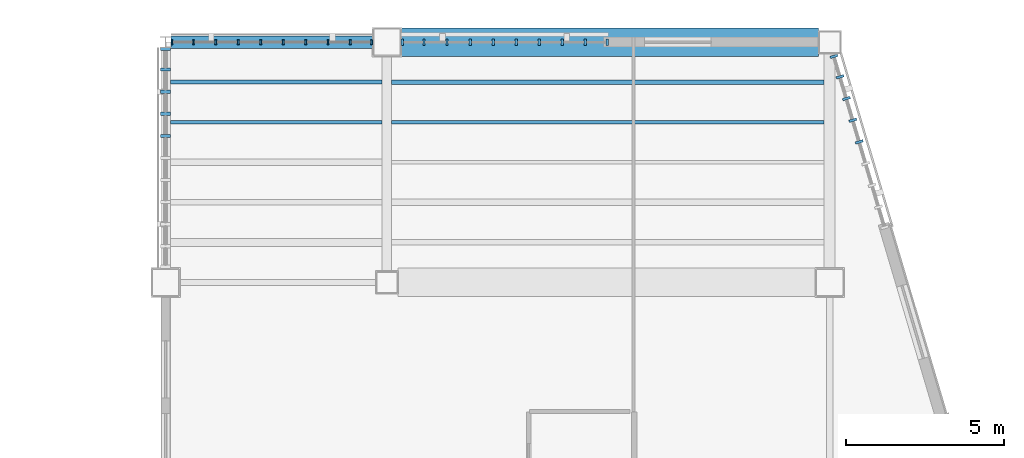
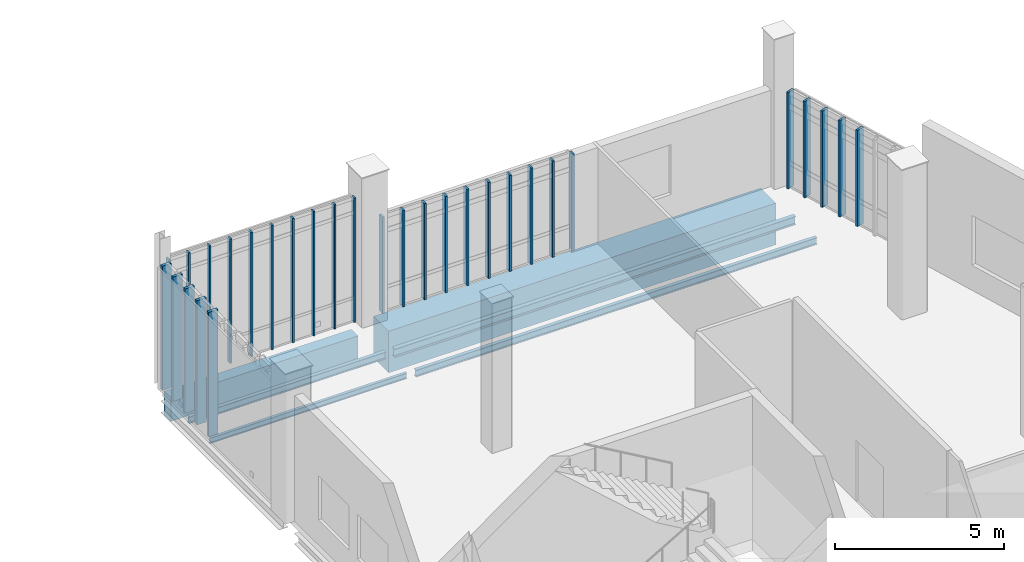
# One storey, part 44 of 127: 30 members, 6 beams, 4 elements without a shape of their own.
"""IFC4 building model written with IfcOpenShell, lengths in metres."""

from ifc_helpers import new_model, si_unit, direction, frame, origin, origin_2d, place, context, subcontext, project, spatial, rectangle, i_section, extrude, material, material_profile, profile_set, type_object, element, aggregate, save


model = new_model("IFC4")

# Units and contexts
model_context = context("Model", 3, precision=1e-05, world=origin(), true_north=direction((0.0, 1.0)))
body_context = subcontext(model_context, "Body", "Model", "MODEL_VIEW")
ifc_project = project(units=[si_unit("LENGTHUNIT", "METRE"), si_unit("AREAUNIT", "SQUARE_METRE"), si_unit("VOLUMEUNIT", "CUBIC_METRE"), si_unit("PLANEANGLEUNIT", "RADIAN"), si_unit("MASSUNIT", "GRAM", prefix="KILO")], contexts=[model_context])

# Site, building, storey
site_placement = place(None, origin())
site = spatial("IfcSite", under=ifc_project, at=site_placement, CompositionType="ELEMENT")
building_placement = place(site_placement, origin())
building = spatial("IfcBuilding", under=site, at=building_placement, Name="Larkvane Passage Sports Hall", CompositionType="ELEMENT")
storey_placement = place(building_placement, frame((0.0, 0.0, 5.39990234375)))
storey = spatial("IfcBuildingStorey", under=building, at=storey_placement, Name="L01", CompositionType="ELEMENT", Elevation=5.39990234375)

# Curtain wall, members
ifc_material_1 = material(Name="Thermally broken aluminium and low-E glazing", Category="aluminium")
curtain_wall_type_1 = type_object("IfcCurtainWallType", Name="CW-CLINIC", PredefinedType="USERDEFINED", material=ifc_material_1)
curtain_wall_1_placement = place(storey_placement, origin())
curtain_wall_1 = element("IfcCurtainWall", 1, at=curtain_wall_1_placement, inside=storey, type_object=curtain_wall_type_1, Name="Curtain wall CW5-L01-051", ObjectType="UNITISED CURTAIN WALL", PredefinedType="USERDEFINED")
ifc_material_2 = material(Name="Anodised aluminium 6063-T6", Category="aluminium")
ifc_material_profile_1 = material_profile(ifc_material_2, rectangle(XDim=0.10009765625, YDim=0.320068359375, at=origin_2d()), Name="ALU-MUL-100x320")
ifc_profile_set_1 = profile_set([ifc_material_profile_1], Name="Anodised aluminium 6063-T6")
member_type_1 = type_object("IfcMemberType", Name="CW-MUL-100x320", PredefinedType="MULLION", material=ifc_profile_set_1)
member_1_placement = place(storey_placement, frame((124.60009765625, 96.23583984375, 0.0), z_axis=(0.0, 0.0, 1.0), x_axis=(0.0, 1.0, 0.0)))
member_1 = element("IfcMember", 2, at=member_1_placement, type_object=member_type_1, Name="CW-05 mullion 7", PredefinedType="MULLION", context=body_context, shape_type="SweptSolid", body=[
    extrude(rectangle(XDim=0.10009765625, YDim=0.320068359375, at=origin_2d()), origin(), (0.0, 0.0, 1.0), 4.47998046875),
])
member_2_placement = place(storey_placement, frame((124.60009765625, 96.93408203125, 0.0), z_axis=(0.0, 0.0, 1.0), x_axis=(0.0, 1.0, 0.0)))
member_2 = element("IfcMember", 3, at=member_2_placement, type_object=member_type_1, Name="CW-05 mullion 8", PredefinedType="MULLION", context=body_context, shape_type="SweptSolid", body=[
    extrude(rectangle(XDim=0.10009765625, YDim=0.320068359375, at=origin_2d()), origin(), (0.0, 0.0, 1.0), 4.47998046875),
])
member_3_placement = place(storey_placement, frame((124.60009765625, 97.63232421875, 0.0), z_axis=(0.0, 0.0, 1.0), x_axis=(0.0, 1.0, 0.0)))
member_3 = element("IfcMember", 4, at=member_3_placement, type_object=member_type_1, Name="CW-05 mullion 9", PredefinedType="MULLION", context=body_context, shape_type="SweptSolid", body=[
    extrude(rectangle(XDim=0.10009765625, YDim=0.320068359375, at=origin_2d()), origin(), (0.0, 0.0, 1.0), 4.47998046875),
])
member_4_placement = place(storey_placement, frame((124.60009765625, 98.330810546875, 0.0), z_axis=(0.0, 0.0, 1.0), x_axis=(0.0, 1.0, 0.0)))
member_4 = element("IfcMember", 5, at=member_4_placement, type_object=member_type_1, Name="CW-05 mullion 10", PredefinedType="MULLION", context=body_context, shape_type="SweptSolid", body=[
    extrude(rectangle(XDim=0.10009765625, YDim=0.320068359375, at=origin_2d()), origin(), (0.0, 0.0, 1.0), 4.47998046875),
])
member_5_placement = place(storey_placement, frame((124.60009765625, 98.97900390625, 0.0), z_axis=(0.0, 0.0, 1.0), x_axis=(0.0, 1.0, 0.0)))
member_5 = element("IfcMember", 6, at=member_5_placement, type_object=member_type_1, Name="CW-05 mullion 11", PredefinedType="MULLION", context=body_context, shape_type="SweptSolid", body=[
    extrude(rectangle(XDim=0.10009765625, YDim=0.320068359375, at=origin_2d()), origin(), (0.0, 0.0, 1.0), 4.47998046875),
])
aggregate(curtain_wall_1, [member_1, member_2, member_3, member_4, member_5])

curtain_wall_type_2 = type_object("IfcCurtainWallType", Name="CW-UNIT-COURT", PredefinedType="USERDEFINED", material=ifc_material_1)
curtain_wall_2_placement = place(storey_placement, origin())
curtain_wall_2 = element("IfcCurtainWall", 7, at=curtain_wall_2_placement, inside=storey, type_object=curtain_wall_type_2, Name="Curtain wall CW5-L01-052", ObjectType="UNITISED CURTAIN WALL", PredefinedType="USERDEFINED")
ifc_material_profile_2 = material_profile(ifc_material_2, rectangle(XDim=0.06005859375, YDim=0.14990234375, at=origin_2d()), Name="ALU-MUL-60x150")
ifc_profile_set_2 = profile_set([ifc_material_profile_2], Name="Anodised aluminium 6063-T6")
member_type_2 = type_object("IfcMemberType", Name="CW-MUL-60x150", PredefinedType="MULLION", material=ifc_profile_set_2)
member_6_placement = place(storey_placement, frame((124.801025390625, 99.199951171875, 0.0), z_axis=(0.0, 0.0, 1.0), x_axis=(1.0, 0.0, 0.0)))
member_6 = element("IfcMember", 8, at=member_6_placement, type_object=member_type_2, Name="CW-01 mullion 1", PredefinedType="MULLION", context=body_context, shape_type="SweptSolid", body=[
    extrude(rectangle(XDim=0.06005859375, YDim=0.14990234375, at=origin_2d()), origin(), (0.0, 0.0, 1.0), 4.47998046875),
])
member_7_placement = place(storey_placement, frame((125.480224609375, 99.199951171875, 0.0), z_axis=(0.0, 0.0, 1.0), x_axis=(1.0, 0.0, 0.0)))
member_7 = element("IfcMember", 9, at=member_7_placement, type_object=member_type_2, Name="CW-01 mullion 2", PredefinedType="MULLION", context=body_context, shape_type="SweptSolid", body=[
    extrude(rectangle(XDim=0.06005859375, YDim=0.14990234375, at=origin_2d()), origin(), (0.0, 0.0, 1.0), 4.47998046875),
])
member_8_placement = place(storey_placement, frame((126.189453125, 99.199951171875, 0.0), z_axis=(0.0, 0.0, 1.0), x_axis=(1.0, 0.0, 0.0)))
member_8 = element("IfcMember", 10, at=member_8_placement, type_object=member_type_2, Name="CW-01 mullion 3", PredefinedType="MULLION", context=body_context, shape_type="SweptSolid", body=[
    extrude(rectangle(XDim=0.06005859375, YDim=0.14990234375, at=origin_2d()), origin(), (0.0, 0.0, 1.0), 4.47998046875),
])
member_9_placement = place(storey_placement, frame((126.898681640625, 99.199951171875, 0.0), z_axis=(0.0, 0.0, 1.0), x_axis=(1.0, 0.0, 0.0)))
member_9 = element("IfcMember", 11, at=member_9_placement, type_object=member_type_2, Name="CW-01 mullion 4", PredefinedType="MULLION", context=body_context, shape_type="SweptSolid", body=[
    extrude(rectangle(XDim=0.06005859375, YDim=0.14990234375, at=origin_2d()), origin(), (0.0, 0.0, 1.0), 4.47998046875),
])
member_10_placement = place(storey_placement, frame((127.60791015625, 99.199951171875, 0.0), z_axis=(0.0, 0.0, 1.0), x_axis=(1.0, 0.0, 0.0)))
member_10 = element("IfcMember", 12, at=member_10_placement, type_object=member_type_2, Name="CW-01 mullion 5", PredefinedType="MULLION", context=body_context, shape_type="SweptSolid", body=[
    extrude(rectangle(XDim=0.06005859375, YDim=0.14990234375, at=origin_2d()), origin(), (0.0, 0.0, 1.0), 4.47998046875),
])
member_11_placement = place(storey_placement, frame((128.317138671875, 99.199951171875, 0.0), z_axis=(0.0, 0.0, 1.0), x_axis=(1.0, 0.0, 0.0)))
member_11 = element("IfcMember", 13, at=member_11_placement, type_object=member_type_2, Name="CW-01 mullion 6", PredefinedType="MULLION", context=body_context, shape_type="SweptSolid", body=[
    extrude(rectangle(XDim=0.06005859375, YDim=0.14990234375, at=origin_2d()), origin(), (0.0, 0.0, 1.0), 4.47998046875),
])
member_12_placement = place(storey_placement, frame((129.0263671875, 99.199951171875, 0.0), z_axis=(0.0, 0.0, 1.0), x_axis=(1.0, 0.0, 0.0)))
member_12 = element("IfcMember", 14, at=member_12_placement, type_object=member_type_2, Name="CW-01 mullion 7", PredefinedType="MULLION", context=body_context, shape_type="SweptSolid", body=[
    extrude(rectangle(XDim=0.06005859375, YDim=0.14990234375, at=origin_2d()), origin(), (0.0, 0.0, 1.0), 4.47998046875),
])
member_13_placement = place(storey_placement, frame((129.735595703125, 99.199951171875, 0.0), z_axis=(0.0, 0.0, 1.0), x_axis=(1.0, 0.0, 0.0)))
member_13 = element("IfcMember", 15, at=member_13_placement, type_object=member_type_2, Name="CW-01 mullion 8", PredefinedType="MULLION", context=body_context, shape_type="SweptSolid", body=[
    extrude(rectangle(XDim=0.06005859375, YDim=0.14990234375, at=origin_2d()), origin(), (0.0, 0.0, 1.0), 4.47998046875),
])
member_14_placement = place(storey_placement, frame((130.44482421875, 99.199951171875, 0.0), z_axis=(0.0, 0.0, 1.0), x_axis=(1.0, 0.0, 0.0)))
member_14 = element("IfcMember", 16, at=member_14_placement, type_object=member_type_2, Name="CW-01 mullion 9", PredefinedType="MULLION", context=body_context, shape_type="SweptSolid", body=[
    extrude(rectangle(XDim=0.06005859375, YDim=0.14990234375, at=origin_2d()), origin(), (0.0, 0.0, 1.0), 4.47998046875),
])
member_15_placement = place(storey_placement, frame((131.1240234375, 99.199951171875, 0.0), z_axis=(0.0, 0.0, 1.0), x_axis=(1.0, 0.0, 0.0)))
member_15 = element("IfcMember", 17, at=member_15_placement, type_object=member_type_2, Name="CW-01 mullion 10", PredefinedType="MULLION", context=body_context, shape_type="SweptSolid", body=[
    extrude(rectangle(XDim=0.06005859375, YDim=0.14990234375, at=origin_2d()), origin(), (0.0, 0.0, 1.0), 4.47998046875),
])
aggregate(curtain_wall_2, [member_6, member_7, member_8, member_9, member_10, member_11, member_12, member_13, member_14, member_15])

curtain_wall_type_3 = type_object("IfcCurtainWallType", Name="CW-UNIT-VEIL", PredefinedType="USERDEFINED", material=ifc_material_1)
curtain_wall_3_placement = place(storey_placement, origin())
curtain_wall_3 = element("IfcCurtainWall", 18, at=curtain_wall_3_placement, inside=storey, type_object=curtain_wall_type_3, Name="Curtain wall CW5-L01-053", ObjectType="UNITISED CURTAIN WALL", PredefinedType="USERDEFINED")
ifc_material_profile_3 = material_profile(ifc_material_2, rectangle(XDim=0.070068359375, YDim=0.199951171875, at=origin_2d()), Name="ALU-MUL-70x200")
ifc_profile_set_3 = profile_set([ifc_material_profile_3], Name="Anodised aluminium 6063-T6")
member_type_3 = type_object("IfcMemberType", Name="CW-MUL-70x200", PredefinedType="MULLION", material=ifc_profile_set_3)
member_16_placement = place(storey_placement, frame((132.0810546875, 99.199951171875, 0.0), z_axis=(0.0, 0.0, 1.0), x_axis=(1.0, 0.0, 0.0)))
member_16 = element("IfcMember", 19, at=member_16_placement, type_object=member_type_3, Name="CW-02 mullion 1", PredefinedType="MULLION", context=body_context, shape_type="SweptSolid", body=[
    extrude(rectangle(XDim=0.070068359375, YDim=0.199951171875, at=origin_2d()), origin(), (0.0, 0.0, 1.0), 3.468017578125),
])
member_17_placement = place(storey_placement, frame((132.774169921875, 99.199951171875, 0.0), z_axis=(0.0, 0.0, 1.0), x_axis=(1.0, 0.0, 0.0)))
member_17 = element("IfcMember", 20, at=member_17_placement, type_object=member_type_3, Name="CW-02 mullion 2", PredefinedType="MULLION", context=body_context, shape_type="SweptSolid", body=[
    extrude(rectangle(XDim=0.070068359375, YDim=0.199951171875, at=origin_2d()), origin(), (0.0, 0.0, 1.0), 3.468017578125),
])
member_18_placement = place(storey_placement, frame((133.50244140625, 99.199951171875, 0.0), z_axis=(0.0, 0.0, 1.0), x_axis=(1.0, 0.0, 0.0)))
member_18 = element("IfcMember", 21, at=member_18_placement, type_object=member_type_3, Name="CW-02 mullion 3", PredefinedType="MULLION", context=body_context, shape_type="SweptSolid", body=[
    extrude(rectangle(XDim=0.070068359375, YDim=0.199951171875, at=origin_2d()), origin(), (0.0, 0.0, 1.0), 3.468017578125),
])
member_19_placement = place(storey_placement, frame((134.230712890625, 99.199951171875, 0.0), z_axis=(0.0, 0.0, 1.0), x_axis=(1.0, 0.0, 0.0)))
member_19 = element("IfcMember", 22, at=member_19_placement, type_object=member_type_3, Name="CW-02 mullion 4", PredefinedType="MULLION", context=body_context, shape_type="SweptSolid", body=[
    extrude(rectangle(XDim=0.070068359375, YDim=0.199951171875, at=origin_2d()), origin(), (0.0, 0.0, 1.0), 3.468017578125),
])
member_20_placement = place(storey_placement, frame((134.958984375, 99.199951171875, 0.0), z_axis=(0.0, 0.0, 1.0), x_axis=(1.0, 0.0, 0.0)))
member_20 = element("IfcMember", 23, at=member_20_placement, type_object=member_type_3, Name="CW-02 mullion 5", PredefinedType="MULLION", context=body_context, shape_type="SweptSolid", body=[
    extrude(rectangle(XDim=0.070068359375, YDim=0.199951171875, at=origin_2d()), origin(), (0.0, 0.0, 1.0), 3.468017578125),
])
member_21_placement = place(storey_placement, frame((135.68701171875, 99.199951171875, 0.0), z_axis=(0.0, 0.0, 1.0), x_axis=(1.0, 0.0, 0.0)))
member_21 = element("IfcMember", 24, at=member_21_placement, type_object=member_type_3, Name="CW-02 mullion 6", PredefinedType="MULLION", context=body_context, shape_type="SweptSolid", body=[
    extrude(rectangle(XDim=0.070068359375, YDim=0.199951171875, at=origin_2d()), origin(), (0.0, 0.0, 1.0), 3.468017578125),
])
member_22_placement = place(storey_placement, frame((136.415283203125, 99.199951171875, 0.0), z_axis=(0.0, 0.0, 1.0), x_axis=(1.0, 0.0, 0.0)))
member_22 = element("IfcMember", 25, at=member_22_placement, type_object=member_type_3, Name="CW-02 mullion 7", PredefinedType="MULLION", context=body_context, shape_type="SweptSolid", body=[
    extrude(rectangle(XDim=0.070068359375, YDim=0.199951171875, at=origin_2d()), origin(), (0.0, 0.0, 1.0), 3.468017578125),
])
member_23_placement = place(storey_placement, frame((137.1435546875, 99.199951171875, 0.0), z_axis=(0.0, 0.0, 1.0), x_axis=(1.0, 0.0, 0.0)))
member_23 = element("IfcMember", 26, at=member_23_placement, type_object=member_type_3, Name="CW-02 mullion 8", PredefinedType="MULLION", context=body_context, shape_type="SweptSolid", body=[
    extrude(rectangle(XDim=0.070068359375, YDim=0.199951171875, at=origin_2d()), origin(), (0.0, 0.0, 1.0), 3.468017578125),
])
member_24_placement = place(storey_placement, frame((137.871826171875, 99.199951171875, 0.0), z_axis=(0.0, 0.0, 1.0), x_axis=(1.0, 0.0, 0.0)))
member_24 = element("IfcMember", 27, at=member_24_placement, type_object=member_type_3, Name="CW-02 mullion 9", PredefinedType="MULLION", context=body_context, shape_type="SweptSolid", body=[
    extrude(rectangle(XDim=0.070068359375, YDim=0.199951171875, at=origin_2d()), origin(), (0.0, 0.0, 1.0), 3.468017578125),
])
member_25_placement = place(storey_placement, frame((138.56494140625, 99.199951171875, 0.0), z_axis=(0.0, 0.0, 1.0), x_axis=(1.0, 0.0, 0.0)))
member_25 = element("IfcMember", 28, at=member_25_placement, type_object=member_type_3, Name="CW-02 mullion 10", PredefinedType="MULLION", context=body_context, shape_type="SweptSolid", body=[
    extrude(rectangle(XDim=0.070068359375, YDim=0.199951171875, at=origin_2d()), origin(), (0.0, 0.0, 1.0), 3.468017578125),
])
aggregate(curtain_wall_3, [member_16, member_17, member_18, member_19, member_20, member_21, member_22, member_23, member_24, member_25])

curtain_wall_type_4 = type_object("IfcCurtainWallType", Name="CW-STICK-FOYER", PredefinedType="USERDEFINED", material=ifc_material_1)
curtain_wall_4_placement = place(storey_placement, origin())
curtain_wall_4 = element("IfcCurtainWall", 29, at=curtain_wall_4_placement, inside=storey, type_object=curtain_wall_type_4, Name="Curtain wall CW5-L01-054", ObjectType="STICK CURTAIN WALL", PredefinedType="USERDEFINED")
ifc_material_profile_4 = material_profile(ifc_material_2, rectangle(XDim=0.080078125, YDim=0.25, at=origin_2d()), Name="ALU-MUL-80x250")
ifc_profile_set_4 = profile_set([ifc_material_profile_4], Name="Anodised aluminium 6063-T6")
member_type_4 = type_object("IfcMemberType", Name="CW-MUL-80x250", PredefinedType="MULLION", material=ifc_profile_set_4)
member_26_placement = place(storey_placement, frame((145.73388671875, 98.748291015625, 0.0), z_axis=(0.0, 0.0, 1.0), x_axis=(0.28436317806, -0.958716633299, 0.0)))
member_26 = element("IfcMember", 30, at=member_26_placement, type_object=member_type_4, Name="CW-03 mullion 1", PredefinedType="MULLION", context=body_context, shape_type="SweptSolid", body=[
    extrude(rectangle(XDim=0.080078125, YDim=0.25, at=origin_2d()), origin(), (0.0, 0.0, 1.0), 3.468017578125),
])
member_27_placement = place(storey_placement, frame((145.926025390625, 98.100830078125, 0.0), z_axis=(0.0, 0.0, 1.0), x_axis=(0.28436317806, -0.958716633299, 0.0)))
member_27 = element("IfcMember", 31, at=member_27_placement, type_object=member_type_4, Name="CW-03 mullion 2", PredefinedType="MULLION", context=body_context, shape_type="SweptSolid", body=[
    extrude(rectangle(XDim=0.080078125, YDim=0.25, at=origin_2d()), origin(), (0.0, 0.0, 1.0), 3.468017578125),
])
member_28_placement = place(storey_placement, frame((146.12939453125, 97.4150390625, 0.0), z_axis=(0.0, 0.0, 1.0), x_axis=(0.28436317806, -0.958716633299, 0.0)))
member_28 = element("IfcMember", 32, at=member_28_placement, type_object=member_type_4, Name="CW-03 mullion 3", PredefinedType="MULLION", context=body_context, shape_type="SweptSolid", body=[
    extrude(rectangle(XDim=0.080078125, YDim=0.25, at=origin_2d()), origin(), (0.0, 0.0, 1.0), 3.468017578125),
])
member_29_placement = place(storey_placement, frame((146.332763671875, 96.729248046875, 0.0), z_axis=(0.0, 0.0, 1.0), x_axis=(0.28436317806, -0.958716633299, 0.0)))
member_29 = element("IfcMember", 33, at=member_29_placement, type_object=member_type_4, Name="CW-03 mullion 4", PredefinedType="MULLION", context=body_context, shape_type="SweptSolid", body=[
    extrude(rectangle(XDim=0.080078125, YDim=0.25, at=origin_2d()), origin(), (0.0, 0.0, 1.0), 3.468017578125),
])
member_30_placement = place(storey_placement, frame((146.536376953125, 96.04345703125, 0.0), z_axis=(0.0, 0.0, 1.0), x_axis=(0.28436317806, -0.958716633299, 0.0)))
member_30 = element("IfcMember", 34, at=member_30_placement, type_object=member_type_4, Name="CW-03 mullion 5", PredefinedType="MULLION", context=body_context, shape_type="SweptSolid", body=[
    extrude(rectangle(XDim=0.080078125, YDim=0.25, at=origin_2d()), origin(), (0.0, 0.0, 1.0), 3.468017578125),
])
aggregate(curtain_wall_4, [member_26, member_27, member_28, member_29, member_30])

# Beams
ifc_material_3 = material(Name="Steel S355JR", Category="steel")
ifc_material_profile_5 = material_profile(ifc_material_3, i_section(OverallWidth=0.10009765625, OverallDepth=0.199951171875, WebThickness=0.005615234375, FlangeThickness=0.008056640625, FilletRadius=0.008056640625, at=origin_2d()), Name="H-200x100x5.5x8")
ifc_profile_set_5 = profile_set([ifc_material_profile_5], Name="Steel S355JR")
beam_type_1 = type_object("IfcBeamType", Name="JST-STL-H200", PredefinedType="JOIST", material=ifc_profile_set_5)
beam_1_placement = place(storey_placement, frame((124.75, 96.666748046875, -0.52001953125), z_axis=(1.0, 0.0, 0.0), x_axis=(0.0, 1.0, 0.0)))
element("IfcBeam", 35, at=beam_1_placement, inside=storey, type_object=beam_type_1, Name="Composite joist L01 17/L-4", PredefinedType="JOIST", context=body_context, shape_type="SweptSolid", body=[
    extrude(i_section(OverallWidth=0.10009765625, OverallDepth=0.199951171875, WebThickness=0.005615234375, FlangeThickness=0.008056640625, FilletRadius=0.008056640625, at=origin_2d()), origin(), (0.0, 0.0, 1.0), 6.699951171875),
])
ifc_material_profile_6 = material_profile(ifc_material_3, i_section(OverallWidth=0.125, OverallDepth=0.25, WebThickness=0.006103515625, FlangeThickness=0.009033203125, FilletRadius=0.008056640625, at=origin_2d()), Name="H-250x125x6x9")
ifc_profile_set_6 = profile_set([ifc_material_profile_6], Name="Steel S355JR")
beam_type_2 = type_object("IfcBeamType", Name="JST-STL-H250", PredefinedType="JOIST", material=ifc_profile_set_6)
beam_2_placement = place(storey_placement, frame((124.75, 97.933349609375, -0.544921875), z_axis=(1.0, 0.0, 0.0), x_axis=(0.0, 1.0, 0.0)))
element("IfcBeam", 36, at=beam_2_placement, inside=storey, type_object=beam_type_2, Name="Composite joist L01 17/L-5", PredefinedType="JOIST", context=body_context, shape_type="SweptSolid", body=[
    extrude(i_section(OverallWidth=0.125, OverallDepth=0.25, WebThickness=0.006103515625, FlangeThickness=0.009033203125, FilletRadius=0.008056640625, at=origin_2d()), origin(), (0.0, 0.0, 1.0), 6.699951171875),
])
beam_3_placement = place(storey_placement, frame((131.75, 96.666748046875, -0.544921875), z_axis=(1.0, 0.0, 0.0), x_axis=(0.0, 1.0, 0.0)))
element("IfcBeam", 37, at=beam_3_placement, inside=storey, type_object=beam_type_2, Name="Composite joist L01 18/L-4", PredefinedType="JOIST", context=body_context, shape_type="SweptSolid", body=[
    extrude(i_section(OverallWidth=0.125, OverallDepth=0.25, WebThickness=0.006103515625, FlangeThickness=0.009033203125, FilletRadius=0.008056640625, at=origin_2d()), origin(), (0.0, 0.0, 1.0), 13.675048828125),
])
ifc_material_profile_7 = material_profile(ifc_material_3, i_section(OverallWidth=0.14990234375, OverallDepth=0.300048828125, WebThickness=0.006591796875, FlangeThickness=0.009033203125, FilletRadius=0.012939453125, at=origin_2d()), Name="H-300x150x6.5x9")
ifc_profile_set_7 = profile_set([ifc_material_profile_7], Name="Steel S355JR")
beam_type_3 = type_object("IfcBeamType", Name="JST-STL-H300", PredefinedType="JOIST", material=ifc_profile_set_7)
beam_4_placement = place(storey_placement, frame((131.75, 97.933349609375, -0.56982421875), z_axis=(1.0, 0.0, 0.0), x_axis=(0.0, 1.0, 0.0)))
element("IfcBeam", 38, at=beam_4_placement, inside=storey, type_object=beam_type_3, Name="Composite joist L01 18/L-5", PredefinedType="JOIST", context=body_context, shape_type="SweptSolid", body=[
    extrude(i_section(OverallWidth=0.14990234375, OverallDepth=0.300048828125, WebThickness=0.006591796875, FlangeThickness=0.009033203125, FilletRadius=0.012939453125, at=origin_2d()), origin(), (0.0, 0.0, 1.0), 13.675048828125),
])
ifc_material_4 = material(Name="Concrete C50/60", Category="concrete")
ifc_material_profile_8 = material_profile(ifc_material_4, rectangle(XDim=0.89990234375, YDim=1.5, at=origin_2d()), Name="PT-GIR-900x1500")
ifc_profile_set_8 = profile_set([ifc_material_profile_8], Name="Concrete C50/60")
beam_type_4 = type_object("IfcBeamType", Name="PTG-900x1500", PredefinedType="BEAM", material=ifc_profile_set_8)
beam_5_placement = place(storey_placement, frame((132.050048828125, 99.199951171875, -1.169921875), z_axis=(1.0, 0.0, 0.0), x_axis=(0.0, 1.0, 0.0)))
element("IfcBeam", 39, at=beam_5_placement, inside=storey, type_object=beam_type_4, Name="Post-tensioned transfer girder BM5-X-L01-M-0443", PredefinedType="BEAM", context=body_context, shape_type="SweptSolid", body=[
    extrude(rectangle(XDim=0.89990234375, YDim=1.5, at=origin_2d()), origin(), (0.0, 0.0, 1.0), 13.199951171875),
])
ifc_material_5 = material(Name="Concrete C40/50", Category="concrete")
ifc_material_profile_9 = material_profile(ifc_material_5, rectangle(XDim=0.39990234375, YDim=0.85009765625, at=origin_2d()), Name="RC-SP-400x850")
ifc_profile_set_9 = profile_set([ifc_material_profile_9], Name="Concrete C40/50")
beam_type_5 = type_object("IfcBeamType", Name="SP-RC-400x850", PredefinedType="SPANDREL", material=ifc_profile_set_9)
beam_6_placement = place(storey_placement, frame((124.77490234375, 99.199951171875, -0.844970703125), z_axis=(1.0, 0.0, 0.0), x_axis=(0.0, 1.0, 0.0)))
element("IfcBeam", 40, at=beam_6_placement, inside=storey, type_object=beam_type_5, Name="Girder BM5-X-L01-M-0442", PredefinedType="SPANDREL", context=body_context, shape_type="SweptSolid", body=[
    extrude(rectangle(XDim=0.39990234375, YDim=0.85009765625, at=origin_2d()), origin(), (0.0, 0.0, 1.0), 6.375),
])

save(model, "model.ifc")
